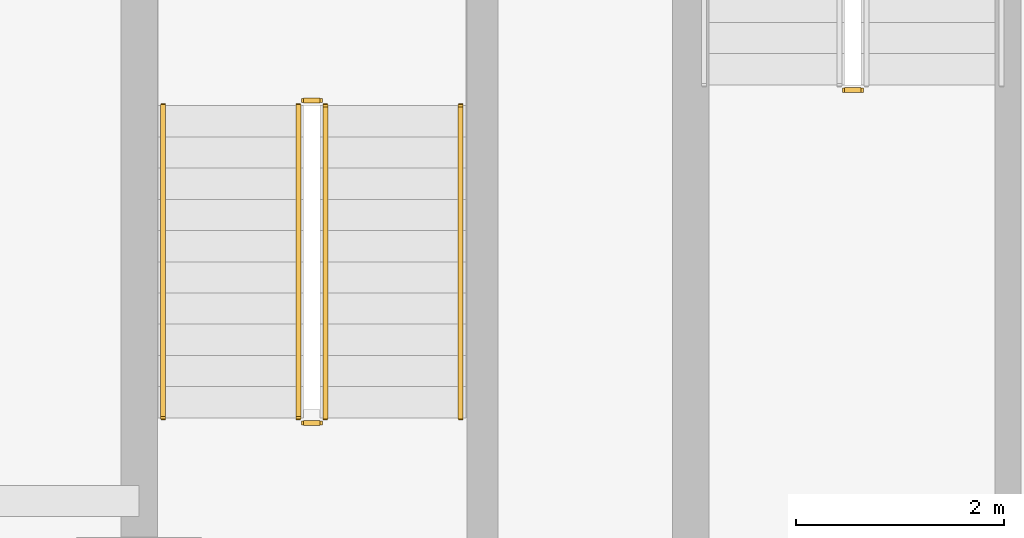
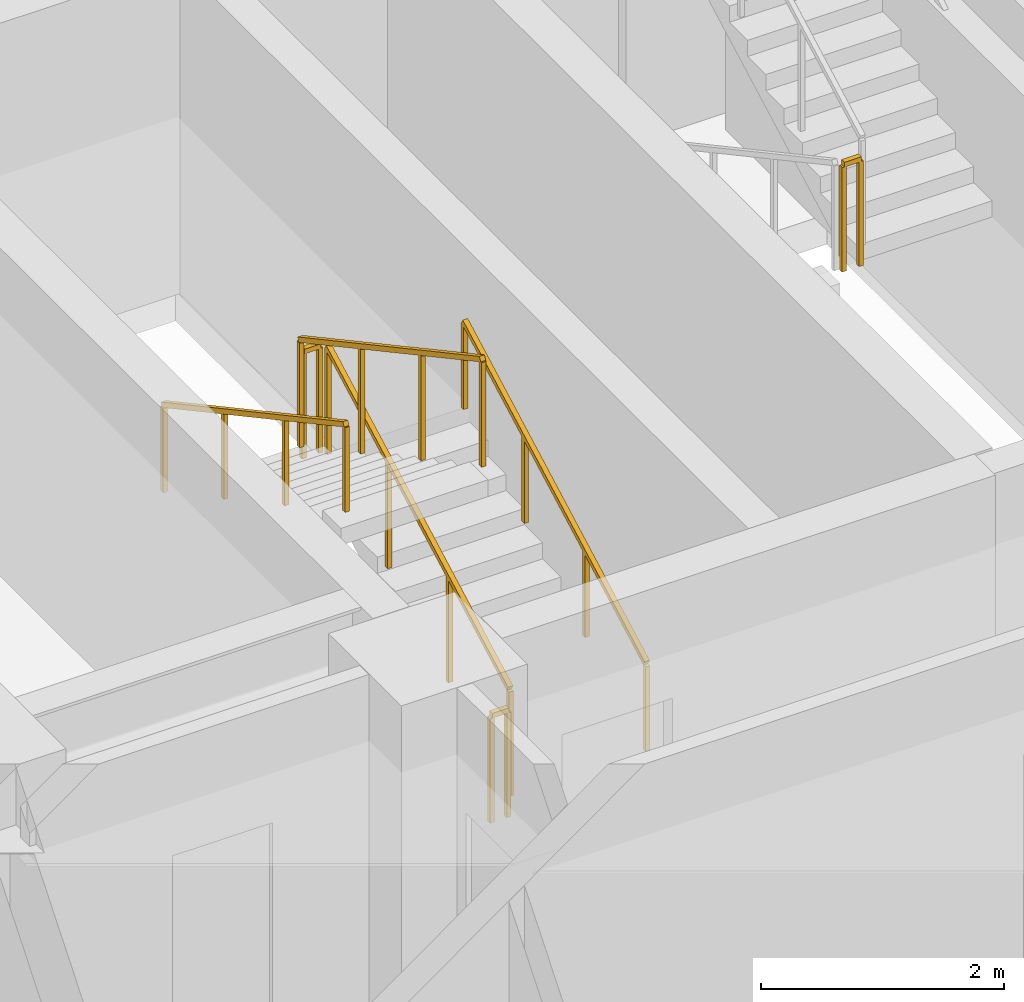
# One storey, part 8 of 13: 7 railings.
"""IFC4 building model written with IfcOpenShell, lengths in metres."""

from ifc_helpers import new_model, si_unit, direction, frame, origin, origin_2d, place, context, subcontext, project, spatial, rectangle, extrude, material, type_object, element, save


model = new_model("IFC4")

# Units and contexts
model_context = context("Model", 3, precision=1e-05, world=origin(), true_north=direction((0.0, 1.0)))
body_context = subcontext(model_context, "Body", "Model", "MODEL_VIEW")
ifc_project = project(units=[si_unit("LENGTHUNIT", "METRE"), si_unit("AREAUNIT", "SQUARE_METRE"), si_unit("VOLUMEUNIT", "CUBIC_METRE"), si_unit("PLANEANGLEUNIT", "RADIAN"), si_unit("MASSUNIT", "GRAM", prefix="KILO")], contexts=[model_context])

# Site, building, storey
site_placement = place(None, origin())
site = spatial("IfcSite", under=ifc_project, at=site_placement, CompositionType="ELEMENT")
building_placement = place(site_placement, origin())
building = spatial("IfcBuilding", under=site, at=building_placement, Name="Zulmaris Gate Convention Tower", CompositionType="ELEMENT")
storey_placement = place(building_placement, frame((0.0, 0.0, 34.340087890625)))
storey = spatial("IfcBuildingStorey", under=building, at=storey_placement, Name="L07", CompositionType="ELEMENT", Elevation=34.340087890625)

# Railings
ifc_material_1 = material(Name="Painted Galvanised Steel", Category="steel")
railing_type_1 = type_object("IfcRailingType", Name="RL-STG-1150", PredefinedType="GUARDRAIL", material=ifc_material_1)
railing_1_placement = place(storey_placement, frame((-13.219970703125, -5.050048828125, 1.784912109375)))
element("IfcRailing", 1, at=railing_1_placement, inside=storey, type_object=railing_type_1, Name="L07 ST-1 stair guard 2", PredefinedType="GUARDRAIL", context=body_context, shape_type="SweptSolid", body=[
    extrude(rectangle(XDim=0.048095703125, YDim=0.048095703125, at=origin_2d()), frame((0.0, 0.0, 1.076171875), z_axis=(1.0, 0.0, 0.0), x_axis=(0.0, 1.0, 0.0)), (0.0, 0.0, 1.0), 0.159912109375),
    extrude(rectangle(XDim=0.0419921875, YDim=0.0419921875, at=origin_2d()), origin(), (0.0, 0.0, 1.0), 1.052001953125),
    extrude(rectangle(XDim=0.0419921875, YDim=0.0419921875, at=origin_2d()), frame((0.159912109375, 0.0, 0.0)), (0.0, 0.0, 1.0), 1.052001953125),
])
railing_2_placement = place(storey_placement, frame((-18.2099609375, -8.199951171875, 0.162353515625)))
element("IfcRailing", 2, at=railing_2_placement, inside=storey, type_object=railing_type_1, Name="L07 ST-3 stair guard 1", PredefinedType="GUARDRAIL", context=body_context, shape_type="SweptSolid", body=[
    extrude(rectangle(XDim=0.048095703125, YDim=0.048095703125, at=origin_2d()), frame((0.0, 0.0, 1.076171875), z_axis=(0.0, 0.879591569277, 0.475729619907), x_axis=(-1.0, 0.0, 0.0)), (0.0, 0.0, 1.0), 3.41064453125),
    extrude(rectangle(XDim=0.0419921875, YDim=0.0419921875, at=origin_2d()), origin(), (0.0, 0.0, 1.0), 1.052001953125),
    extrude(rectangle(XDim=0.0419921875, YDim=0.0419921875, at=origin_2d()), frame((0.0, 1.0, 0.540771484375)), (0.0, 0.0, 1.0), 1.052001953125),
    extrude(rectangle(XDim=0.0419921875, YDim=0.0419921875, at=origin_2d()), frame((0.0, 2.0, 1.081787109375)), (0.0, 0.0, 1.0), 1.052001953125),
    extrude(rectangle(XDim=0.0419921875, YDim=0.0419921875, at=origin_2d()), frame((0.0, 3.0, 1.62255859375)), (0.0, 0.0, 1.0), 1.052001953125),
])
railing_3_placement = place(storey_placement, frame((-18.260009765625, -5.14990234375, 1.784912109375)))
element("IfcRailing", 3, at=railing_3_placement, inside=storey, type_object=railing_type_1, Name="L07 ST-3 stair guard 2", PredefinedType="GUARDRAIL", context=body_context, shape_type="SweptSolid", body=[
    extrude(rectangle(XDim=0.048095703125, YDim=0.048095703125, at=origin_2d()), frame((0.0, 0.0, 1.076171875), z_axis=(-1.0, 0.0, 0.0), x_axis=(0.0, -1.0, 0.0)), (0.0, 0.0, 1.0), 0.159912109375),
    extrude(rectangle(XDim=0.0419921875, YDim=0.0419921875, at=origin_2d()), origin(), (0.0, 0.0, 1.0), 1.052001953125),
    extrude(rectangle(XDim=0.0419921875, YDim=0.0419921875, at=origin_2d()), frame((-0.159912109375, 0.0, 0.0)), (0.0, 0.0, 1.0), 1.052001953125),
])
railing_4_placement = place(storey_placement, frame((-18.469970703125, -5.199951171875, 1.947265625)))
element("IfcRailing", 4, at=railing_4_placement, inside=storey, type_object=railing_type_1, Name="L07 ST-3 stair guard 3", PredefinedType="GUARDRAIL", context=body_context, shape_type="SweptSolid", body=[
    extrude(rectangle(XDim=0.048095703125, YDim=0.048095703125, at=origin_2d()), frame((0.0, 0.0, 1.076171875), z_axis=(0.0, -0.879591569277, 0.475729619907), x_axis=(1.0, 0.0, 0.0)), (0.0, 0.0, 1.0), 3.41064453125),
    extrude(rectangle(XDim=0.0419921875, YDim=0.0419921875, at=origin_2d()), origin(), (0.0, 0.0, 1.0), 1.052001953125),
    extrude(rectangle(XDim=0.0419921875, YDim=0.0419921875, at=origin_2d()), frame((0.0, -1.0, 0.540771484375)), (0.0, 0.0, 1.0), 1.052001953125),
    extrude(rectangle(XDim=0.0419921875, YDim=0.0419921875, at=origin_2d()), frame((0.0, -2.0, 1.081787109375)), (0.0, 0.0, 1.0), 1.052001953125),
    extrude(rectangle(XDim=0.0419921875, YDim=0.0419921875, at=origin_2d()), frame((0.0, -3.0, 1.62255859375)), (0.0, 0.0, 1.0), 1.052001953125),
])
railing_5_placement = place(storey_placement, frame((-18.260009765625, -8.25, 0.0)))
element("IfcRailing", 5, at=railing_5_placement, inside=storey, type_object=railing_type_1, Name="L07 ST-3 stair guard 4", PredefinedType="GUARDRAIL", context=body_context, shape_type="SweptSolid", body=[
    extrude(rectangle(XDim=0.048095703125, YDim=0.048095703125, at=origin_2d()), frame((0.0, 0.0, 1.076171875), z_axis=(-1.0, 0.0, 0.0), x_axis=(0.0, -1.0, 0.0)), (0.0, 0.0, 1.0), 0.159912109375),
    extrude(rectangle(XDim=0.0419921875, YDim=0.0419921875, at=origin_2d()), origin(), (0.0, 0.0, 1.0), 1.052001953125),
    extrude(rectangle(XDim=0.0419921875, YDim=0.0419921875, at=origin_2d()), frame((-0.159912109375, 0.0, 0.0)), (0.0, 0.0, 1.0), 1.052001953125),
])
ifc_material_2 = material(Name="Brushed Stainless Steel", Category="steel")
railing_type_2 = type_object("IfcRailingType", Name="RL-STH-900", PredefinedType="HANDRAIL", material=ifc_material_2)
railing_6_placement = place(storey_placement, frame((-16.909912109375, -8.199951171875, 0.162353515625)))
element("IfcRailing", 6, at=railing_6_placement, inside=storey, type_object=railing_type_2, Name="L07 ST-3 stair handrail 1", PredefinedType="HANDRAIL", context=body_context, shape_type="SweptSolid", body=[
    extrude(rectangle(XDim=0.048095703125, YDim=0.048095703125, at=origin_2d()), frame((0.0, 0.0, 0.8759765625), z_axis=(0.0, 0.879591569277, 0.475729619907), x_axis=(-1.0, 0.0, 0.0)), (0.0, 0.0, 1.0), 3.41064453125),
    extrude(rectangle(XDim=0.0419921875, YDim=0.0419921875, at=origin_2d()), origin(), (0.0, 0.0, 1.0), 0.851806640625),
    extrude(rectangle(XDim=0.0419921875, YDim=0.0419921875, at=origin_2d()), frame((0.0, 1.0, 0.540771484375)), (0.0, 0.0, 1.0), 0.851806640625),
    extrude(rectangle(XDim=0.0419921875, YDim=0.0419921875, at=origin_2d()), frame((0.0, 2.0, 1.081787109375)), (0.0, 0.0, 1.0), 0.851806640625),
    extrude(rectangle(XDim=0.0419921875, YDim=0.0419921875, at=origin_2d()), frame((0.0, 3.0, 1.62255859375)), (0.0, 0.0, 1.0), 0.851806640625),
])
railing_7_placement = place(storey_placement, frame((-19.77001953125, -5.199951171875, 1.947265625)))
element("IfcRailing", 7, at=railing_7_placement, inside=storey, type_object=railing_type_2, Name="L07 ST-3 stair handrail 2", PredefinedType="HANDRAIL", context=body_context, shape_type="SweptSolid", body=[
    extrude(rectangle(XDim=0.048095703125, YDim=0.048095703125, at=origin_2d()), frame((0.0, 0.0, 0.8759765625), z_axis=(0.0, -0.879591569277, 0.475729619907), x_axis=(1.0, 0.0, 0.0)), (0.0, 0.0, 1.0), 3.41064453125),
    extrude(rectangle(XDim=0.0419921875, YDim=0.0419921875, at=origin_2d()), origin(), (0.0, 0.0, 1.0), 0.851806640625),
    extrude(rectangle(XDim=0.0419921875, YDim=0.0419921875, at=origin_2d()), frame((0.0, -1.0, 0.540771484375)), (0.0, 0.0, 1.0), 0.851806640625),
    extrude(rectangle(XDim=0.0419921875, YDim=0.0419921875, at=origin_2d()), frame((0.0, -2.0, 1.081787109375)), (0.0, 0.0, 1.0), 0.851806640625),
    extrude(rectangle(XDim=0.0419921875, YDim=0.0419921875, at=origin_2d()), frame((0.0, -3.0, 1.62255859375)), (0.0, 0.0, 1.0), 0.851806640625),
])

save(model, "model.ifc")
